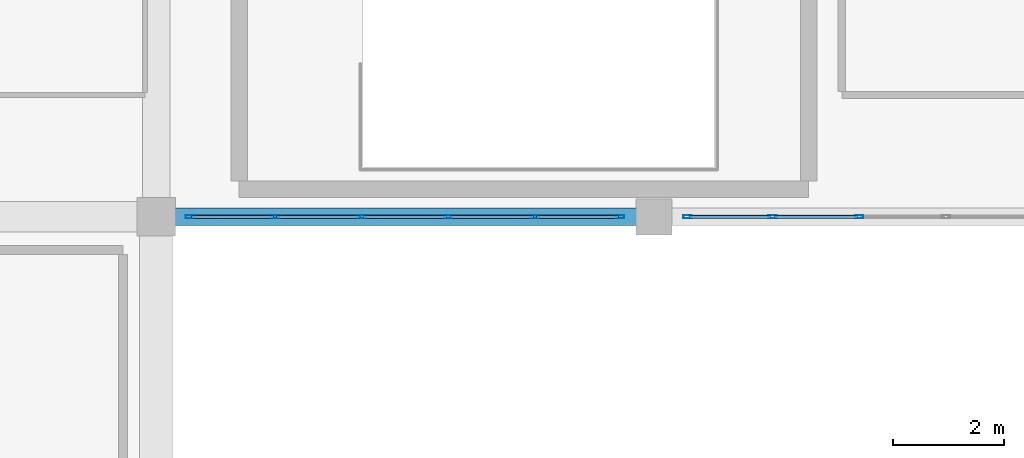
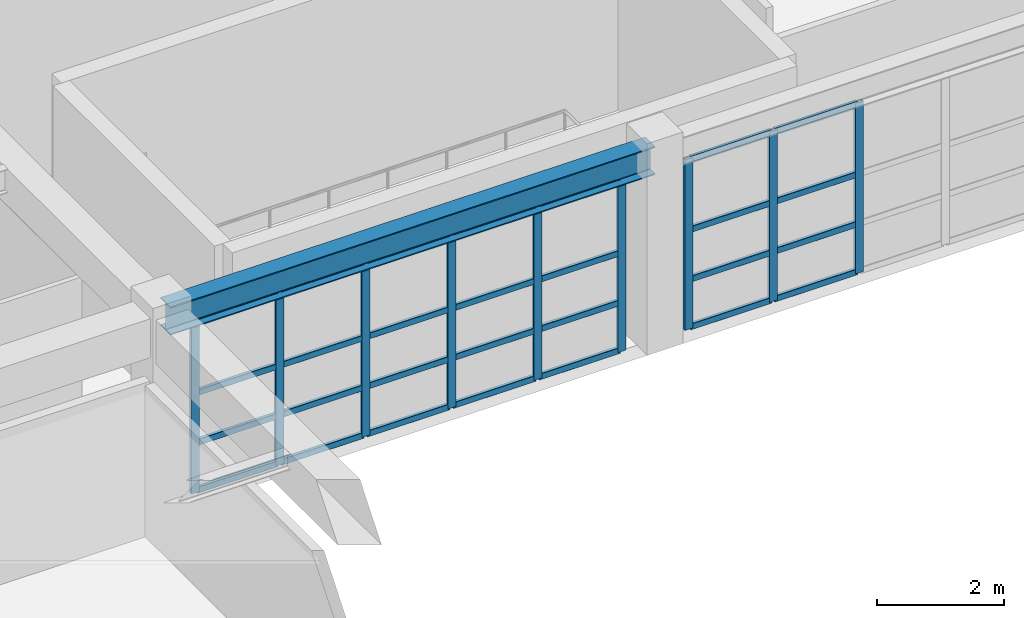
# One storey, part 73 of 130: 37 members, 1 beam, 2 elements without a shape of their own.
"""IFC4 building model written with IfcOpenShell, lengths in metres."""

from ifc_helpers import new_model, si_unit, direction, frame, origin, origin_2d, place, context, subcontext, project, spatial, hollow_rectangle, i_section, extrude, material, material_profile, profile_set, type_object, element, aggregate, save


model = new_model("IFC4")

# Units and contexts
model_context = context("Model", 3, precision=1e-05, world=origin(), true_north=direction((0.0, 1.0)))
body_context = subcontext(model_context, "Body", "Model", "MODEL_VIEW")
ifc_project = project(units=[si_unit("LENGTHUNIT", "METRE"), si_unit("AREAUNIT", "SQUARE_METRE"), si_unit("VOLUMEUNIT", "CUBIC_METRE"), si_unit("PLANEANGLEUNIT", "RADIAN"), si_unit("MASSUNIT", "GRAM", prefix="KILO")], contexts=[model_context])

# Site, building, storey
site_placement = place(None, origin())
site = spatial("IfcSite", under=ifc_project, at=site_placement, CompositionType="ELEMENT")
building_placement = place(site_placement, origin())
building = spatial("IfcBuilding", under=site, at=building_placement, Name="Miravela Opera House", CompositionType="ELEMENT")
storey_placement = place(building_placement, frame((0.0, 0.0, 9.52001953125)))
storey = spatial("IfcBuildingStorey", under=building, at=storey_placement, Name="L02", CompositionType="ELEMENT", Elevation=9.52001953125)

# Curtain wall, members
ifc_material_1 = material(Name="Anodised architectural bronze aluminium 6063-T6", Category="aluminium")
curtain_wall_type = type_object("IfcCurtainWallType", Name="ARC-CW-05", PredefinedType="NOTDEFINED", material=ifc_material_1)
curtain_wall_1_placement = place(storey_placement, origin())
curtain_wall_1 = element("IfcCurtainWall", 1, at=curtain_wall_1_placement, inside=storey, type_object=curtain_wall_type, Name="Courtyard Arcade Curtain Wall CW-L02-181", PredefinedType="NOTDEFINED")
ifc_material_profile_1 = material_profile(ifc_material_1, hollow_rectangle(XDim=0.06005859375, YDim=0.14990234375, WallThickness=0.00390625, InnerFilletRadius=0.001953125, OuterFilletRadius=0.00390625, at=origin_2d()), Name="CWM-60X150")
ifc_profile_set_1 = profile_set([ifc_material_profile_1])
member_type_1 = type_object("IfcMemberType", Name="ARC-CWM-150", PredefinedType="MULLION", material=ifc_profile_set_1)
member_1_placement = place(storey_placement, frame((117.610107421875, 103.0, 0.0), z_axis=(0.0, 0.0, 1.0), x_axis=(0.0, 1.0, 0.0)))
member_1 = element("IfcMember", 2, at=member_1_placement, type_object=member_type_1, Name="CW-05 mullion 1", PredefinedType="MULLION", context=body_context, shape_type="SweptSolid", body=[
    extrude(hollow_rectangle(XDim=0.06005859375, YDim=0.14990234375, WallThickness=0.00390625, InnerFilletRadius=0.001953125, OuterFilletRadius=0.00390625, at=origin_2d()), origin(), (0.0, 0.0, 1.0), 3.2900390625),
])
member_2_placement = place(storey_placement, frame((119.14794921875, 103.0, 0.0), z_axis=(0.0, 0.0, 1.0), x_axis=(0.0, 1.0, 0.0)))
member_2 = element("IfcMember", 3, at=member_2_placement, type_object=member_type_1, Name="CW-05 mullion 2", PredefinedType="MULLION", context=body_context, shape_type="SweptSolid", body=[
    extrude(hollow_rectangle(XDim=0.06005859375, YDim=0.14990234375, WallThickness=0.00390625, InnerFilletRadius=0.001953125, OuterFilletRadius=0.00390625, at=origin_2d()), origin(), (0.0, 0.0, 1.0), 3.2900390625),
])
member_3_placement = place(storey_placement, frame((120.716064453125, 103.0, 0.0), z_axis=(0.0, 0.0, 1.0), x_axis=(0.0, 1.0, 0.0)))
member_3 = element("IfcMember", 4, at=member_3_placement, type_object=member_type_1, Name="CW-05 mullion 3", PredefinedType="MULLION", context=body_context, shape_type="SweptSolid", body=[
    extrude(hollow_rectangle(XDim=0.06005859375, YDim=0.14990234375, WallThickness=0.00390625, InnerFilletRadius=0.001953125, OuterFilletRadius=0.00390625, at=origin_2d()), origin(), (0.0, 0.0, 1.0), 3.2900390625),
])
member_4_placement = place(storey_placement, frame((122.283935546875, 103.0, 0.0), z_axis=(0.0, 0.0, 1.0), x_axis=(0.0, 1.0, 0.0)))
member_4 = element("IfcMember", 5, at=member_4_placement, type_object=member_type_1, Name="CW-05 mullion 4", PredefinedType="MULLION", context=body_context, shape_type="SweptSolid", body=[
    extrude(hollow_rectangle(XDim=0.06005859375, YDim=0.14990234375, WallThickness=0.00390625, InnerFilletRadius=0.001953125, OuterFilletRadius=0.00390625, at=origin_2d()), origin(), (0.0, 0.0, 1.0), 3.2900390625),
])
member_5_placement = place(storey_placement, frame((123.85205078125, 103.0, 0.0), z_axis=(0.0, 0.0, 1.0), x_axis=(0.0, 1.0, 0.0)))
member_5 = element("IfcMember", 6, at=member_5_placement, type_object=member_type_1, Name="CW-05 mullion 5", PredefinedType="MULLION", context=body_context, shape_type="SweptSolid", body=[
    extrude(hollow_rectangle(XDim=0.06005859375, YDim=0.14990234375, WallThickness=0.00390625, InnerFilletRadius=0.001953125, OuterFilletRadius=0.00390625, at=origin_2d()), origin(), (0.0, 0.0, 1.0), 3.2900390625),
])
member_6_placement = place(storey_placement, frame((125.389892578125, 103.0, 0.0), z_axis=(0.0, 0.0, 1.0), x_axis=(0.0, 1.0, 0.0)))
member_6 = element("IfcMember", 7, at=member_6_placement, type_object=member_type_1, Name="CW-05 mullion 6", PredefinedType="MULLION", context=body_context, shape_type="SweptSolid", body=[
    extrude(hollow_rectangle(XDim=0.06005859375, YDim=0.14990234375, WallThickness=0.00390625, InnerFilletRadius=0.001953125, OuterFilletRadius=0.00390625, at=origin_2d()), origin(), (0.0, 0.0, 1.0), 3.2900390625),
])

curtain_wall_2_placement = place(storey_placement, origin())
curtain_wall_2 = element("IfcCurtainWall", 8, at=curtain_wall_2_placement, inside=storey, type_object=curtain_wall_type, Name="Courtyard Arcade Curtain Wall CW-L02-185", PredefinedType="NOTDEFINED")
member_7_placement = place(storey_placement, frame((126.610107421875, 103.0, 0.0), z_axis=(0.0, 0.0, 1.0), x_axis=(0.0, 1.0, 0.0)))
member_7 = element("IfcMember", 9, at=member_7_placement, type_object=member_type_1, Name="CW-05 mullion 1", PredefinedType="MULLION", context=body_context, shape_type="SweptSolid", body=[
    extrude(hollow_rectangle(XDim=0.06005859375, YDim=0.14990234375, WallThickness=0.00390625, InnerFilletRadius=0.001953125, OuterFilletRadius=0.00390625, at=origin_2d()), origin(), (0.0, 0.0, 1.0), 3.2900390625),
])
member_8_placement = place(storey_placement, frame((128.14794921875, 103.0, 0.0), z_axis=(0.0, 0.0, 1.0), x_axis=(0.0, 1.0, 0.0)))
member_8 = element("IfcMember", 10, at=member_8_placement, type_object=member_type_1, Name="CW-05 mullion 2", PredefinedType="MULLION", context=body_context, shape_type="SweptSolid", body=[
    extrude(hollow_rectangle(XDim=0.06005859375, YDim=0.14990234375, WallThickness=0.00390625, InnerFilletRadius=0.001953125, OuterFilletRadius=0.00390625, at=origin_2d()), origin(), (0.0, 0.0, 1.0), 3.2900390625),
])
member_9_placement = place(storey_placement, frame((129.716064453125, 103.0, 0.0), z_axis=(0.0, 0.0, 1.0), x_axis=(0.0, 1.0, 0.0)))
member_9 = element("IfcMember", 11, at=member_9_placement, type_object=member_type_1, Name="CW-05 mullion 3", PredefinedType="MULLION", context=body_context, shape_type="SweptSolid", body=[
    extrude(hollow_rectangle(XDim=0.06005859375, YDim=0.14990234375, WallThickness=0.00390625, InnerFilletRadius=0.001953125, OuterFilletRadius=0.00390625, at=origin_2d()), origin(), (0.0, 0.0, 1.0), 3.2900390625),
])

# Member
ifc_material_profile_2 = material_profile(ifc_material_1, hollow_rectangle(XDim=0.06005859375, YDim=0.114990234375, WallThickness=0.00390625, InnerFilletRadius=0.001953125, OuterFilletRadius=0.00390625, at=origin_2d()), Name="CWT-60X115")
ifc_profile_set_2 = profile_set([ifc_material_profile_2])
member_type_2 = type_object("IfcMemberType", Name="ARC-CWT-115", PredefinedType="USERDEFINED", material=ifc_profile_set_2)
member_10_placement = place(storey_placement, frame((117.639892578125, 103.0, 0.030029296875), z_axis=(1.0, 0.0, 0.0), x_axis=(0.0, 1.0, 0.0)))
member_10 = element("IfcMember", 12, at=member_10_placement, type_object=member_type_2, Name="CW-05 transom 1.1", ObjectType="TRANSOM", PredefinedType="USERDEFINED", context=body_context, shape_type="SweptSolid", body=[
    extrude(hollow_rectangle(XDim=0.06005859375, YDim=0.114990234375, WallThickness=0.00390625, InnerFilletRadius=0.001953125, OuterFilletRadius=0.00390625, at=origin_2d()), origin(), (0.0, 0.0, 1.0), 1.47802734375),
])

member_11_placement = place(storey_placement, frame((117.639892578125, 103.0, 0.949951171875), z_axis=(1.0, 0.0, 0.0), x_axis=(0.0, 1.0, 0.0)))
member_11 = element("IfcMember", 13, at=member_11_placement, type_object=member_type_2, Name="CW-05 transom 1.2", ObjectType="TRANSOM", PredefinedType="USERDEFINED", context=body_context, shape_type="SweptSolid", body=[
    extrude(hollow_rectangle(XDim=0.06005859375, YDim=0.114990234375, WallThickness=0.00390625, InnerFilletRadius=0.001953125, OuterFilletRadius=0.00390625, at=origin_2d()), origin(), (0.0, 0.0, 1.0), 1.47802734375),
])

member_12_placement = place(storey_placement, frame((117.639892578125, 103.0, 1.908203125), z_axis=(1.0, 0.0, 0.0), x_axis=(0.0, 1.0, 0.0)))
member_12 = element("IfcMember", 14, at=member_12_placement, type_object=member_type_2, Name="CW-05 transom 1.3", ObjectType="TRANSOM", PredefinedType="USERDEFINED", context=body_context, shape_type="SweptSolid", body=[
    extrude(hollow_rectangle(XDim=0.06005859375, YDim=0.114990234375, WallThickness=0.00390625, InnerFilletRadius=0.001953125, OuterFilletRadius=0.00390625, at=origin_2d()), origin(), (0.0, 0.0, 1.0), 1.47802734375),
])

member_13_placement = place(storey_placement, frame((117.639892578125, 103.0, 3.260009765625), z_axis=(1.0, 0.0, 0.0), x_axis=(0.0, 1.0, 0.0)))
member_13 = element("IfcMember", 15, at=member_13_placement, type_object=member_type_2, Name="CW-05 transom 1.4", ObjectType="TRANSOM", PredefinedType="USERDEFINED", context=body_context, shape_type="SweptSolid", body=[
    extrude(hollow_rectangle(XDim=0.06005859375, YDim=0.114990234375, WallThickness=0.00390625, InnerFilletRadius=0.001953125, OuterFilletRadius=0.00390625, at=origin_2d()), origin(), (0.0, 0.0, 1.0), 1.47802734375),
])

member_14_placement = place(storey_placement, frame((119.177978515625, 103.0, 0.030029296875), z_axis=(1.0, 0.0, 0.0), x_axis=(0.0, 1.0, 0.0)))
member_14 = element("IfcMember", 16, at=member_14_placement, type_object=member_type_2, Name="CW-05 transom 2.1", ObjectType="TRANSOM", PredefinedType="USERDEFINED", context=body_context, shape_type="SweptSolid", body=[
    extrude(hollow_rectangle(XDim=0.06005859375, YDim=0.114990234375, WallThickness=0.00390625, InnerFilletRadius=0.001953125, OuterFilletRadius=0.00390625, at=origin_2d()), origin(), (0.0, 0.0, 1.0), 1.508056640625),
])

member_15_placement = place(storey_placement, frame((119.177978515625, 103.0, 0.949951171875), z_axis=(1.0, 0.0, 0.0), x_axis=(0.0, 1.0, 0.0)))
member_15 = element("IfcMember", 17, at=member_15_placement, type_object=member_type_2, Name="CW-05 transom 2.2", ObjectType="TRANSOM", PredefinedType="USERDEFINED", context=body_context, shape_type="SweptSolid", body=[
    extrude(hollow_rectangle(XDim=0.06005859375, YDim=0.114990234375, WallThickness=0.00390625, InnerFilletRadius=0.001953125, OuterFilletRadius=0.00390625, at=origin_2d()), origin(), (0.0, 0.0, 1.0), 1.508056640625),
])

member_16_placement = place(storey_placement, frame((119.177978515625, 103.0, 1.908203125), z_axis=(1.0, 0.0, 0.0), x_axis=(0.0, 1.0, 0.0)))
member_16 = element("IfcMember", 18, at=member_16_placement, type_object=member_type_2, Name="CW-05 transom 2.3", ObjectType="TRANSOM", PredefinedType="USERDEFINED", context=body_context, shape_type="SweptSolid", body=[
    extrude(hollow_rectangle(XDim=0.06005859375, YDim=0.114990234375, WallThickness=0.00390625, InnerFilletRadius=0.001953125, OuterFilletRadius=0.00390625, at=origin_2d()), origin(), (0.0, 0.0, 1.0), 1.508056640625),
])

member_17_placement = place(storey_placement, frame((119.177978515625, 103.0, 3.260009765625), z_axis=(1.0, 0.0, 0.0), x_axis=(0.0, 1.0, 0.0)))
member_17 = element("IfcMember", 19, at=member_17_placement, type_object=member_type_2, Name="CW-05 transom 2.4", ObjectType="TRANSOM", PredefinedType="USERDEFINED", context=body_context, shape_type="SweptSolid", body=[
    extrude(hollow_rectangle(XDim=0.06005859375, YDim=0.114990234375, WallThickness=0.00390625, InnerFilletRadius=0.001953125, OuterFilletRadius=0.00390625, at=origin_2d()), origin(), (0.0, 0.0, 1.0), 1.508056640625),
])

member_18_placement = place(storey_placement, frame((120.74609375, 103.0, 0.030029296875), z_axis=(1.0, 0.0, 0.0), x_axis=(0.0, 1.0, 0.0)))
member_18 = element("IfcMember", 20, at=member_18_placement, type_object=member_type_2, Name="CW-05 transom 3.1", ObjectType="TRANSOM", PredefinedType="USERDEFINED", context=body_context, shape_type="SweptSolid", body=[
    extrude(hollow_rectangle(XDim=0.06005859375, YDim=0.114990234375, WallThickness=0.00390625, InnerFilletRadius=0.001953125, OuterFilletRadius=0.00390625, at=origin_2d()), origin(), (0.0, 0.0, 1.0), 1.5078125),
])

member_19_placement = place(storey_placement, frame((120.74609375, 103.0, 0.949951171875), z_axis=(1.0, 0.0, 0.0), x_axis=(0.0, 1.0, 0.0)))
member_19 = element("IfcMember", 21, at=member_19_placement, type_object=member_type_2, Name="CW-05 transom 3.2", ObjectType="TRANSOM", PredefinedType="USERDEFINED", context=body_context, shape_type="SweptSolid", body=[
    extrude(hollow_rectangle(XDim=0.06005859375, YDim=0.114990234375, WallThickness=0.00390625, InnerFilletRadius=0.001953125, OuterFilletRadius=0.00390625, at=origin_2d()), origin(), (0.0, 0.0, 1.0), 1.5078125),
])

member_20_placement = place(storey_placement, frame((120.74609375, 103.0, 1.908203125), z_axis=(1.0, 0.0, 0.0), x_axis=(0.0, 1.0, 0.0)))
member_20 = element("IfcMember", 22, at=member_20_placement, type_object=member_type_2, Name="CW-05 transom 3.3", ObjectType="TRANSOM", PredefinedType="USERDEFINED", context=body_context, shape_type="SweptSolid", body=[
    extrude(hollow_rectangle(XDim=0.06005859375, YDim=0.114990234375, WallThickness=0.00390625, InnerFilletRadius=0.001953125, OuterFilletRadius=0.00390625, at=origin_2d()), origin(), (0.0, 0.0, 1.0), 1.5078125),
])

member_21_placement = place(storey_placement, frame((120.74609375, 103.0, 3.260009765625), z_axis=(1.0, 0.0, 0.0), x_axis=(0.0, 1.0, 0.0)))
member_21 = element("IfcMember", 23, at=member_21_placement, type_object=member_type_2, Name="CW-05 transom 3.4", ObjectType="TRANSOM", PredefinedType="USERDEFINED", context=body_context, shape_type="SweptSolid", body=[
    extrude(hollow_rectangle(XDim=0.06005859375, YDim=0.114990234375, WallThickness=0.00390625, InnerFilletRadius=0.001953125, OuterFilletRadius=0.00390625, at=origin_2d()), origin(), (0.0, 0.0, 1.0), 1.5078125),
])

member_22_placement = place(storey_placement, frame((122.31396484375, 103.0, 0.030029296875), z_axis=(1.0, 0.0, 0.0), x_axis=(0.0, 1.0, 0.0)))
member_22 = element("IfcMember", 24, at=member_22_placement, type_object=member_type_2, Name="CW-05 transom 4.1", ObjectType="TRANSOM", PredefinedType="USERDEFINED", context=body_context, shape_type="SweptSolid", body=[
    extrude(hollow_rectangle(XDim=0.06005859375, YDim=0.114990234375, WallThickness=0.00390625, InnerFilletRadius=0.001953125, OuterFilletRadius=0.00390625, at=origin_2d()), origin(), (0.0, 0.0, 1.0), 1.508056640625),
])

member_23_placement = place(storey_placement, frame((122.31396484375, 103.0, 0.949951171875), z_axis=(1.0, 0.0, 0.0), x_axis=(0.0, 1.0, 0.0)))
member_23 = element("IfcMember", 25, at=member_23_placement, type_object=member_type_2, Name="CW-05 transom 4.2", ObjectType="TRANSOM", PredefinedType="USERDEFINED", context=body_context, shape_type="SweptSolid", body=[
    extrude(hollow_rectangle(XDim=0.06005859375, YDim=0.114990234375, WallThickness=0.00390625, InnerFilletRadius=0.001953125, OuterFilletRadius=0.00390625, at=origin_2d()), origin(), (0.0, 0.0, 1.0), 1.508056640625),
])

member_24_placement = place(storey_placement, frame((122.31396484375, 103.0, 1.908203125), z_axis=(1.0, 0.0, 0.0), x_axis=(0.0, 1.0, 0.0)))
member_24 = element("IfcMember", 26, at=member_24_placement, type_object=member_type_2, Name="CW-05 transom 4.3", ObjectType="TRANSOM", PredefinedType="USERDEFINED", context=body_context, shape_type="SweptSolid", body=[
    extrude(hollow_rectangle(XDim=0.06005859375, YDim=0.114990234375, WallThickness=0.00390625, InnerFilletRadius=0.001953125, OuterFilletRadius=0.00390625, at=origin_2d()), origin(), (0.0, 0.0, 1.0), 1.508056640625),
])

member_25_placement = place(storey_placement, frame((122.31396484375, 103.0, 3.260009765625), z_axis=(1.0, 0.0, 0.0), x_axis=(0.0, 1.0, 0.0)))
member_25 = element("IfcMember", 27, at=member_25_placement, type_object=member_type_2, Name="CW-05 transom 4.4", ObjectType="TRANSOM", PredefinedType="USERDEFINED", context=body_context, shape_type="SweptSolid", body=[
    extrude(hollow_rectangle(XDim=0.06005859375, YDim=0.114990234375, WallThickness=0.00390625, InnerFilletRadius=0.001953125, OuterFilletRadius=0.00390625, at=origin_2d()), origin(), (0.0, 0.0, 1.0), 1.508056640625),
])

member_26_placement = place(storey_placement, frame((123.882080078125, 103.0, 0.030029296875), z_axis=(1.0, 0.0, 0.0), x_axis=(0.0, 1.0, 0.0)))
member_26 = element("IfcMember", 28, at=member_26_placement, type_object=member_type_2, Name="CW-05 transom 5.1", ObjectType="TRANSOM", PredefinedType="USERDEFINED", context=body_context, shape_type="SweptSolid", body=[
    extrude(hollow_rectangle(XDim=0.06005859375, YDim=0.114990234375, WallThickness=0.00390625, InnerFilletRadius=0.001953125, OuterFilletRadius=0.00390625, at=origin_2d()), origin(), (0.0, 0.0, 1.0), 1.47802734375),
])

member_27_placement = place(storey_placement, frame((123.882080078125, 103.0, 0.949951171875), z_axis=(1.0, 0.0, 0.0), x_axis=(0.0, 1.0, 0.0)))
member_27 = element("IfcMember", 29, at=member_27_placement, type_object=member_type_2, Name="CW-05 transom 5.2", ObjectType="TRANSOM", PredefinedType="USERDEFINED", context=body_context, shape_type="SweptSolid", body=[
    extrude(hollow_rectangle(XDim=0.06005859375, YDim=0.114990234375, WallThickness=0.00390625, InnerFilletRadius=0.001953125, OuterFilletRadius=0.00390625, at=origin_2d()), origin(), (0.0, 0.0, 1.0), 1.47802734375),
])

member_28_placement = place(storey_placement, frame((123.882080078125, 103.0, 1.908203125), z_axis=(1.0, 0.0, 0.0), x_axis=(0.0, 1.0, 0.0)))
member_28 = element("IfcMember", 30, at=member_28_placement, type_object=member_type_2, Name="CW-05 transom 5.3", ObjectType="TRANSOM", PredefinedType="USERDEFINED", context=body_context, shape_type="SweptSolid", body=[
    extrude(hollow_rectangle(XDim=0.06005859375, YDim=0.114990234375, WallThickness=0.00390625, InnerFilletRadius=0.001953125, OuterFilletRadius=0.00390625, at=origin_2d()), origin(), (0.0, 0.0, 1.0), 1.47802734375),
])

member_29_placement = place(storey_placement, frame((123.882080078125, 103.0, 3.260009765625), z_axis=(1.0, 0.0, 0.0), x_axis=(0.0, 1.0, 0.0)))
member_29 = element("IfcMember", 31, at=member_29_placement, type_object=member_type_2, Name="CW-05 transom 5.4", ObjectType="TRANSOM", PredefinedType="USERDEFINED", context=body_context, shape_type="SweptSolid", body=[
    extrude(hollow_rectangle(XDim=0.06005859375, YDim=0.114990234375, WallThickness=0.00390625, InnerFilletRadius=0.001953125, OuterFilletRadius=0.00390625, at=origin_2d()), origin(), (0.0, 0.0, 1.0), 1.47802734375),
])

aggregate(curtain_wall_1, [member_1, member_2, member_3, member_4, member_5, member_6, member_10, member_11, member_12, member_13, member_14, member_15, member_16, member_17, member_18, member_19, member_20, member_21, member_22, member_23, member_24, member_25, member_26, member_27, member_28, member_29])

member_30_placement = place(storey_placement, frame((126.639892578125, 103.0, 0.030029296875), z_axis=(1.0, 0.0, 0.0), x_axis=(0.0, 1.0, 0.0)))
member_30 = element("IfcMember", 32, at=member_30_placement, type_object=member_type_2, Name="CW-05 transom 1.1", ObjectType="TRANSOM", PredefinedType="USERDEFINED", context=body_context, shape_type="SweptSolid", body=[
    extrude(hollow_rectangle(XDim=0.06005859375, YDim=0.114990234375, WallThickness=0.00390625, InnerFilletRadius=0.001953125, OuterFilletRadius=0.00390625, at=origin_2d()), origin(), (0.0, 0.0, 1.0), 1.47802734375),
])

member_31_placement = place(storey_placement, frame((126.639892578125, 103.0, 0.949951171875), z_axis=(1.0, 0.0, 0.0), x_axis=(0.0, 1.0, 0.0)))
member_31 = element("IfcMember", 33, at=member_31_placement, type_object=member_type_2, Name="CW-05 transom 1.2", ObjectType="TRANSOM", PredefinedType="USERDEFINED", context=body_context, shape_type="SweptSolid", body=[
    extrude(hollow_rectangle(XDim=0.06005859375, YDim=0.114990234375, WallThickness=0.00390625, InnerFilletRadius=0.001953125, OuterFilletRadius=0.00390625, at=origin_2d()), origin(), (0.0, 0.0, 1.0), 1.47802734375),
])

member_32_placement = place(storey_placement, frame((126.639892578125, 103.0, 1.908203125), z_axis=(1.0, 0.0, 0.0), x_axis=(0.0, 1.0, 0.0)))
member_32 = element("IfcMember", 34, at=member_32_placement, type_object=member_type_2, Name="CW-05 transom 1.3", ObjectType="TRANSOM", PredefinedType="USERDEFINED", context=body_context, shape_type="SweptSolid", body=[
    extrude(hollow_rectangle(XDim=0.06005859375, YDim=0.114990234375, WallThickness=0.00390625, InnerFilletRadius=0.001953125, OuterFilletRadius=0.00390625, at=origin_2d()), origin(), (0.0, 0.0, 1.0), 1.47802734375),
])

member_33_placement = place(storey_placement, frame((126.639892578125, 103.0, 3.260009765625), z_axis=(1.0, 0.0, 0.0), x_axis=(0.0, 1.0, 0.0)))
member_33 = element("IfcMember", 35, at=member_33_placement, type_object=member_type_2, Name="CW-05 transom 1.4", ObjectType="TRANSOM", PredefinedType="USERDEFINED", context=body_context, shape_type="SweptSolid", body=[
    extrude(hollow_rectangle(XDim=0.06005859375, YDim=0.114990234375, WallThickness=0.00390625, InnerFilletRadius=0.001953125, OuterFilletRadius=0.00390625, at=origin_2d()), origin(), (0.0, 0.0, 1.0), 1.47802734375),
])

member_34_placement = place(storey_placement, frame((128.177978515625, 103.0, 0.030029296875), z_axis=(1.0, 0.0, 0.0), x_axis=(0.0, 1.0, 0.0)))
member_34 = element("IfcMember", 36, at=member_34_placement, type_object=member_type_2, Name="CW-05 transom 2.1", ObjectType="TRANSOM", PredefinedType="USERDEFINED", context=body_context, shape_type="SweptSolid", body=[
    extrude(hollow_rectangle(XDim=0.06005859375, YDim=0.114990234375, WallThickness=0.00390625, InnerFilletRadius=0.001953125, OuterFilletRadius=0.00390625, at=origin_2d()), origin(), (0.0, 0.0, 1.0), 1.508056640625),
])

member_35_placement = place(storey_placement, frame((128.177978515625, 103.0, 0.949951171875), z_axis=(1.0, 0.0, 0.0), x_axis=(0.0, 1.0, 0.0)))
member_35 = element("IfcMember", 37, at=member_35_placement, type_object=member_type_2, Name="CW-05 transom 2.2", ObjectType="TRANSOM", PredefinedType="USERDEFINED", context=body_context, shape_type="SweptSolid", body=[
    extrude(hollow_rectangle(XDim=0.06005859375, YDim=0.114990234375, WallThickness=0.00390625, InnerFilletRadius=0.001953125, OuterFilletRadius=0.00390625, at=origin_2d()), origin(), (0.0, 0.0, 1.0), 1.508056640625),
])

member_36_placement = place(storey_placement, frame((128.177978515625, 103.0, 1.908203125), z_axis=(1.0, 0.0, 0.0), x_axis=(0.0, 1.0, 0.0)))
member_36 = element("IfcMember", 38, at=member_36_placement, type_object=member_type_2, Name="CW-05 transom 2.3", ObjectType="TRANSOM", PredefinedType="USERDEFINED", context=body_context, shape_type="SweptSolid", body=[
    extrude(hollow_rectangle(XDim=0.06005859375, YDim=0.114990234375, WallThickness=0.00390625, InnerFilletRadius=0.001953125, OuterFilletRadius=0.00390625, at=origin_2d()), origin(), (0.0, 0.0, 1.0), 1.508056640625),
])

member_37_placement = place(storey_placement, frame((128.177978515625, 103.0, 3.260009765625), z_axis=(1.0, 0.0, 0.0), x_axis=(0.0, 1.0, 0.0)))
member_37 = element("IfcMember", 39, at=member_37_placement, type_object=member_type_2, Name="CW-05 transom 2.4", ObjectType="TRANSOM", PredefinedType="USERDEFINED", context=body_context, shape_type="SweptSolid", body=[
    extrude(hollow_rectangle(XDim=0.06005859375, YDim=0.114990234375, WallThickness=0.00390625, InnerFilletRadius=0.001953125, OuterFilletRadius=0.00390625, at=origin_2d()), origin(), (0.0, 0.0, 1.0), 1.508056640625),
])

aggregate(curtain_wall_2, [member_7, member_8, member_9, member_30, member_31, member_32, member_33, member_34, member_35, member_36, member_37])

# Beam
ifc_material_2 = material(Name="Structural steel ASTM A992 Gr. 50", Category="steel")
ifc_material_profile_3 = material_profile(ifc_material_2, i_section(OverallWidth=0.31201171875, OverallDepth=0.54296875, WebThickness=0.0126953125, FlangeThickness=0.020263671875, FilletRadius=0.01611328125, at=origin_2d()), Name="W530X150")
ifc_profile_set_3 = profile_set([ifc_material_profile_3])
beam_type = type_object("IfcBeamType", Name="STR-BM-W530X150", PredefinedType="BEAM", material=ifc_profile_set_3)
beam_placement = place(storey_placement, frame((117.080078125, 103.0, 3.568359375), z_axis=(1.0, 0.0, 0.0), x_axis=(0.0, 1.0, 0.0)))
element("IfcBeam", 40, at=beam_placement, inside=storey, type_object=beam_type, Name="Roof Eave Girder ROOF-V3-NE S1", PredefinedType="BEAM", context=body_context, shape_type="SweptSolid", body=[
    extrude(i_section(OverallWidth=0.31201171875, OverallDepth=0.54296875, WebThickness=0.0126953125, FlangeThickness=0.020263671875, FilletRadius=0.01611328125, at=origin_2d()), origin(), (0.0, 0.0, 1.0), 8.83984375),
])

save(model, "model.ifc")
